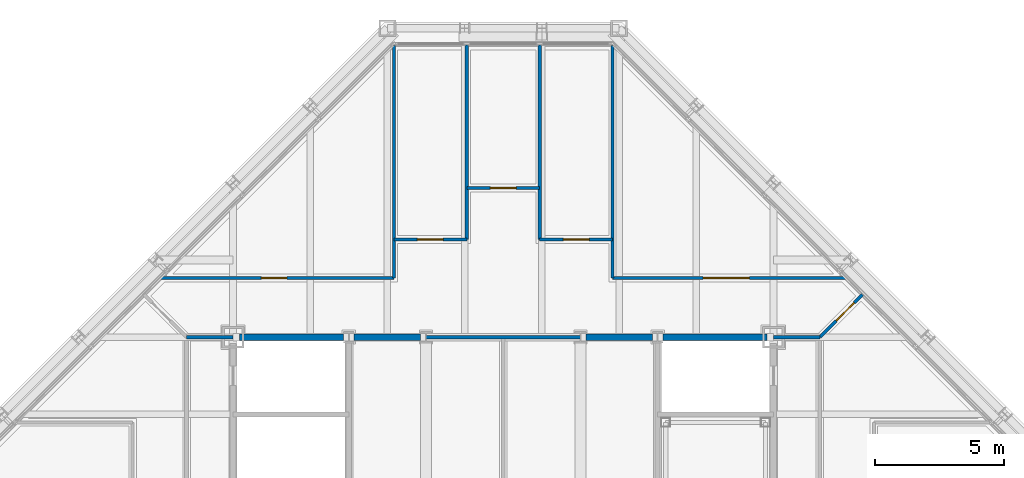
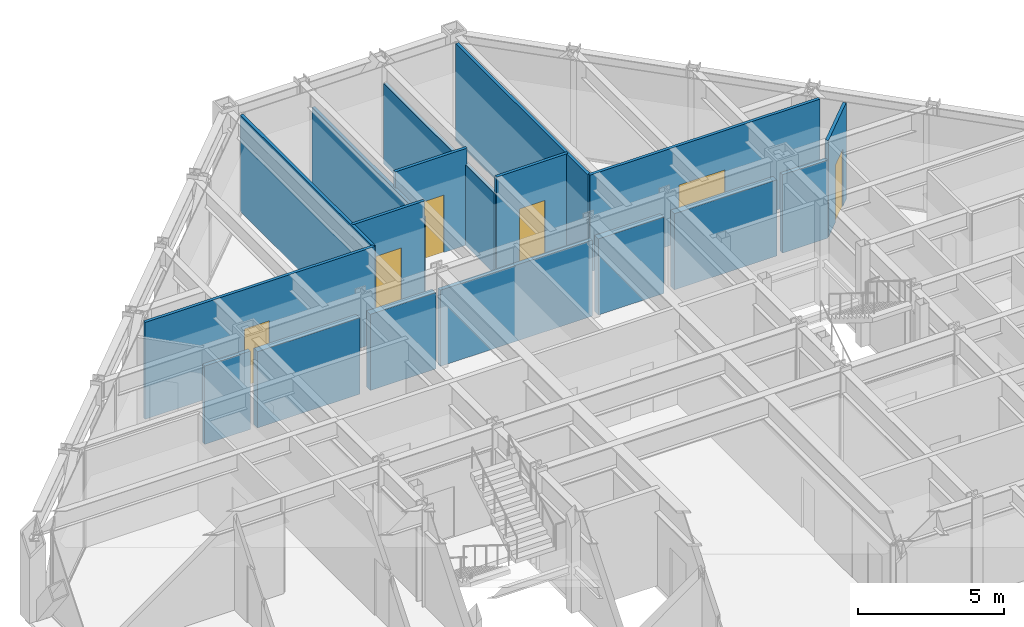
# One storey, part 12 of 15: 17 walls, 6 doors, 6 openings.
"""IFC4 building model written with IfcOpenShell, lengths in metres."""

import ifcopenshell
import ifcopenshell.guid

model = None  # the IFC model being written
_history = None  # IfcOwnerHistory: only IFC2X3 demands one
_inside = {}  # id of a spatial element -> (the spatial element, [elements in it])
_under = {}  # id of a project, library or spatial element -> (it, [spatial elements below it])
_declared = {}  # id of a project -> (the project, [libraries it declares])
_typed = {}  # id of a type object -> (the type object, [elements of that type])
_made_of = {}  # id of a material, layer set ... -> (it, [elements and type objects made of it])


def new_model(schema):
    """Start an empty IFC model of exactly this schema.

    Asked for "IFC4X3", IfcOpenShell would pick the latest addendum, in which some entities
    have other attributes; the version numbers below select the first issue.
    IFC2X3 requires an IfcOwnerHistory on every rooted entity: one is made here for all.
    """
    global model, _history
    if schema == "IFC4X3":
        model = ifcopenshell.file(schema_version=(4, 3, 0, 0))
    else:
        model = ifcopenshell.file(schema=schema)
    _inside.clear()
    _under.clear()
    _declared.clear()
    _typed.clear()
    _made_of.clear()
    _history = None
    if model.schema == "IFC2X3":
        org = make("IfcOrganization", Name="unknown")
        user = make(
            "IfcPersonAndOrganization",
            ThePerson=make("IfcPerson", FamilyName="unknown"),
            TheOrganization=org,
        )
        app = make(
            "IfcApplication",
            ApplicationDeveloper=org,
            Version="unknown",
            ApplicationFullName="unknown",
            ApplicationIdentifier="unknown",
        )
        _history = make(
            "IfcOwnerHistory",
            OwningUser=user,
            OwningApplication=app,
            ChangeAction="ADDED",
            CreationDate=0,
        )
    return model


def make(cls, **values):
    """One entity of the class cls with the attributes given. An attribute that is None is left unset."""
    return model.create_entity(
        cls, **{name: value for name, value in values.items() if value is not None}
    )


def rooted(cls, **values):
    """An entity with a GlobalId (a new one), such as an element, a storey or a relation."""
    return make(cls, GlobalId=ifcopenshell.guid.new(), OwnerHistory=_history, **values)


def si_unit(unit_type, name, prefix=None):
    """IfcSIUnit, for example si_unit("LENGTHUNIT", "METRE", prefix="MILLI")."""
    return make("IfcSIUnit", UnitType=unit_type, Prefix=prefix, Name=name)


def assignment(units):
    """IfcUnitAssignment: the units of a project."""
    return None if units is None else make("IfcUnitAssignment", Units=units)


def point(xyz):
    """IfcCartesianPoint."""
    return None if xyz is None else make("IfcCartesianPoint", Coordinates=xyz)


def direction(xyz):
    """IfcDirection."""
    return None if xyz is None else make("IfcDirection", DirectionRatios=xyz)


def frame(location, z_axis=None, x_axis=None):
    """IfcAxis2Placement3D, a coordinate frame: its origin and axes. An axis left out is left unset."""
    return make(
        "IfcAxis2Placement3D",
        Location=point(location),
        Axis=direction(z_axis),
        RefDirection=direction(x_axis),
    )


def frame_2d(location, x_axis=None):
    """IfcAxis2Placement2D, a coordinate frame in the plane: its origin and x axis."""
    return make(
        "IfcAxis2Placement2D", Location=point(location), RefDirection=direction(x_axis)
    )


def origin():
    """The frame at (0, 0, 0) with its axes left unset."""
    return frame((0.0, 0.0, 0.0))


def place(relative_to, where):
    """IfcLocalPlacement: puts the frame where relative to a parent placement (None: the world)."""
    return make(
        "IfcLocalPlacement", PlacementRelTo=relative_to, RelativePlacement=where
    )


def context(
    kind, dimensions, precision=None, world=None, true_north=None, identifier=None
):
    """IfcGeometricRepresentationContext, for example the 3D "Model" context."""
    return make(
        "IfcGeometricRepresentationContext",
        ContextIdentifier=identifier,
        ContextType=kind,
        CoordinateSpaceDimension=dimensions,
        Precision=precision,
        WorldCoordinateSystem=world,
        TrueNorth=true_north,
    )


def subcontext(parent, identifier, kind, view, scale=None):
    """IfcGeometricRepresentationSubContext, for example "Body" below "Model"."""
    return make(
        "IfcGeometricRepresentationSubContext",
        ContextIdentifier=identifier,
        ContextType=kind,
        ParentContext=parent,
        TargetScale=scale,
        TargetView=view,
    )


def project(units=None, contexts=None):
    """IfcProject with its units and contexts."""
    return rooted(
        "IfcProject",
        Name="project",
        RepresentationContexts=contexts,
        UnitsInContext=assignment(units),
    )


def spatial(cls, under=None, at=None, **own):
    """A site, building, storey or space (cls), placed at a placement, below another one or the project."""
    s = rooted(cls, ObjectPlacement=at, **own)
    if under is not None:
        _under.setdefault(under.id(), (under, []))[1].append(s)
    return s


def profile(cls, at=None, kind="AREA", **sizes):
    """A parametric profile (cls). Its sizes go by their IFC names, for example OverallWidth=200.0."""
    return make(cls, ProfileType=kind, Position=at, **sizes)


def rectangle(**sizes):
    """IfcRectangleProfileDef."""
    return profile("IfcRectangleProfileDef", **sizes)


def extrude(swept, where, along, depth):
    """IfcExtrudedAreaSolid: the profile swept, set in the frame where, extruded along a direction by depth."""
    return make(
        "IfcExtrudedAreaSolid",
        SweptArea=swept,
        Position=where,
        ExtrudedDirection=direction(along),
        Depth=depth,
    )


def shape(context_of_items, identifier, shape_type, items):
    """IfcShapeRepresentation: the items that make up one representation, for example the "Body"."""
    return make(
        "IfcShapeRepresentation",
        ContextOfItems=context_of_items,
        RepresentationIdentifier=identifier,
        RepresentationType=shape_type,
        Items=items,
    )


def material(Name=None, Category=None):
    """IfcMaterial."""
    return make("IfcMaterial", Name=Name, Category=Category)


def layer(
    of_material, thickness, ventilated=None, Name=None, Category=None, Priority=None
):
    """IfcMaterialLayer: one layer of a wall or slab, of a material (None: an air gap)."""
    return make(
        "IfcMaterialLayer",
        Material=of_material,
        LayerThickness=thickness,
        IsVentilated=ventilated,
        Name=Name,
        Category=Category,
        Priority=Priority,
    )


def layer_set(layers, Name=None):
    """IfcMaterialLayerSet."""
    return make("IfcMaterialLayerSet", MaterialLayers=layers, LayerSetName=Name)


def made_of(thing, what):
    """Note that an element or type object is made of a material, layer set ...; save() writes the relation."""
    if what is not None:
        _made_of.setdefault(what.id(), (what, []))[1].append(thing)
    return thing


def type_object(cls, material=None, **own):
    """A type object (cls), such as IfcWallType, which elements share."""
    return made_of(rooted(cls, **own), material)


def element(
    cls,
    number,
    at=None,
    inside=None,
    cuts=None,
    type_object=None,
    material=None,
    context=None,
    identifier="Body",
    shape_type=None,
    held_by="IfcProductDefinitionShape",
    body=None,
    shapes=None,
    **own,
):
    """One element of the class cls, such as IfcWall. Its Tag is "e" and its number.

    at: its placement. inside: the storey or other place that contains it. cuts: it is an
    opening in that element (IfcRelVoidsElement). A single representation is given by context,
    identifier, shape_type and body (its items); several are given by shapes. held_by: the class
    of the entity that holds the representations. save() writes the other relations.
    """
    e = rooted(cls, Tag="e%d" % number, ObjectPlacement=at, **own)
    if body is not None:
        shapes = [shape(context, identifier, shape_type, body)]
    if shapes is not None:
        e.Representation = make(held_by, Representations=shapes)
    if inside is not None:
        _inside.setdefault(inside.id(), (inside, []))[1].append(e)
    if cuts is not None:
        rooted(
            "IfcRelVoidsElement", RelatingBuildingElement=cuts, RelatedOpeningElement=e
        )
    if type_object is not None:
        _typed.setdefault(type_object.id(), (type_object, []))[1].append(e)
    return made_of(e, material)


def fill(opening, filler):
    """IfcRelFillsElement: the door or window that sits in an opening."""
    return rooted(
        "IfcRelFillsElement",
        RelatingOpeningElement=opening,
        RelatedBuildingElement=filler,
    )


def aggregate(whole, parts):
    """IfcRelAggregates: a whole, such as a stair, and the parts it consists of."""
    return rooted("IfcRelAggregates", RelatingObject=whole, RelatedObjects=parts)


def save(model, path):
    """Write the relations noted so far, then the file.

    IfcRelAggregates (storeys below a building ...), IfcRelContainedInSpatialStructure (elements
    in a storey), IfcRelDefinesByType, IfcRelAssociatesMaterial and IfcRelDeclares: one each for
    every whole, place, type object, material and project.
    """
    for whole, parts in _under.values():
        aggregate(whole, parts)
    for where, things in _inside.values():
        rooted(
            "IfcRelContainedInSpatialStructure",
            RelatedElements=things,
            RelatingStructure=where,
        )
    for kind, things in _typed.values():
        rooted("IfcRelDefinesByType", RelatedObjects=things, RelatingType=kind)
    for what, things in _made_of.values():
        rooted("IfcRelAssociatesMaterial", RelatedObjects=things, RelatingMaterial=what)
    for by, libraries in _declared.values():
        rooted("IfcRelDeclares", RelatingContext=by, RelatedDefinitions=libraries)
    model.write(path)


model = new_model("IFC4")

# Units and contexts
model_context = context("Model", 3, precision=1e-05, world=origin(), true_north=direction((0.0, 1.0)))
body_context = subcontext(model_context, "Body", "Model", "MODEL_VIEW")
ifc_project = project(units=[si_unit("LENGTHUNIT", "METRE"), si_unit("AREAUNIT", "SQUARE_METRE"), si_unit("VOLUMEUNIT", "CUBIC_METRE"), si_unit("PLANEANGLEUNIT", "RADIAN"), si_unit("MASSUNIT", "GRAM", prefix="KILO")], contexts=[model_context])

# Site, building, storey
site_placement = place(None, origin())
site = spatial("IfcSite", under=ifc_project, at=site_placement, CompositionType="ELEMENT")
building_placement = place(site_placement, origin())
building = spatial("IfcBuilding", under=site, at=building_placement, Name="Chuquiago Exchange Tower", CompositionType="ELEMENT")
storey_placement = place(building_placement, frame((0.0, 0.0, 287.39990234375)))
storey = spatial("IfcBuildingStorey", under=building, at=storey_placement, Name="L64", CompositionType="ELEMENT", Elevation=287.39990234375)

# Walls
ifc_material_1 = material(Name="Concrete masonry, fully grouted", Category="masonry")
ifc_layer_1 = layer(ifc_material_1, 0.25)
ifc_layer_set_1 = layer_set([ifc_layer_1], Name="W1 core wall 250")
wall_type_1 = type_object("IfcWallType", Name="W1 core wall 250", PredefinedType="SOLIDWALL", material=ifc_layer_set_1)
wall_1_placement = place(storey_placement, frame((12.25, 33.0, 0.0), z_axis=(0.0, 0.0, 1.0), x_axis=(1.0, 0.0, 0.0)))
element("IfcWall", 1, at=wall_1_placement, inside=storey, type_object=wall_type_1, Name="CW-L64-11-0", PredefinedType="SOLIDWALL", context=body_context, shape_type="SweptSolid", body=[
    extrude(rectangle(XDim=4.041748046875, YDim=0.25, at=frame_2d((2.02099609375, 0.0))), origin(), (0.0, 0.0, 1.0), 3.181640625),
])
for number, where, z_axis, x_axis, name in (
    (2, (16.708251953125, 33.0, 0.0), (0.0, 0.0, 1.0), (1.0, 0.0, 0.0), "CW-L64-11-1"),
    (3, (25.708251953125, 33.0, 0.0), (0.0, 0.0, 1.0), (1.0, 0.0, 0.0), "CW-L64-12-0"),
):
    element("IfcWall", number, at=place(storey_placement, frame(where, z_axis=z_axis, x_axis=x_axis)), inside=storey, type_object=wall_type_1, Name=name, PredefinedType="SOLIDWALL", context=body_context, shape_type="SweptSolid", body=[
        extrude(rectangle(XDim=2.58349609375, YDim=0.25, at=frame_2d((1.291748046875, 0.0))), origin(), (0.0, 0.0, 1.0), 3.181640625),
    ])
wall_2_placement = place(storey_placement, frame((28.708251953125, 33.0, 0.0), z_axis=(0.0, 0.0, 1.0), x_axis=(1.0, 0.0, 0.0)))
element("IfcWall", 4, at=wall_2_placement, inside=storey, type_object=wall_type_1, Name="CW-L64-12-1", PredefinedType="SOLIDWALL", context=body_context, shape_type="SweptSolid", body=[
    extrude(rectangle(XDim=4.041748046875, YDim=0.25, at=frame_2d((2.02099609375, 0.0))), origin(), (0.0, 0.0, 1.0), 3.181640625),
])
ifc_material_2 = material(Name="Gypsum board on steel studs, acoustic insulation", Category="steel")
ifc_layer_2 = layer(ifc_material_2, 0.14990234375)
ifc_layer_set_2 = layer_set([ifc_layer_2], Name="W11 corridor wall 150")
wall_type_2 = type_object("IfcWallType", Name="W11 corridor wall 150", PredefinedType="PARTITIONING", material=ifc_layer_set_2)
for number, where, z_axis, x_axis, name in (
    (5, (10.199951171875, 33.0, 0.0), (0.0, 0.0, 1.0), (1.0, 0.0, 0.0), "PW-L64-GWN0"),
    (6, (33.0, 33.0, 0.0), (0.0, 0.0, 1.0), (1.0, 0.0, 0.0), "PW-L64-GEN0"),
):
    element("IfcWall", number, at=place(storey_placement, frame(where, z_axis=z_axis, x_axis=x_axis)), inside=storey, type_object=wall_type_2, Name=name, PredefinedType="PARTITIONING", context=body_context, shape_type="SweptSolid", body=[
        extrude(rectangle(XDim=1.800048828125, YDim=0.14990234375, at=frame_2d((0.89990234375, 0.0))), origin(), (0.0, 0.0, 1.0), 3.2705078125),
    ])
ifc_material_3 = material(Name="Gypsum board on steel studs", Category="steel")
ifc_layer_3 = layer(ifc_material_3, 0.14990234375)
ifc_layer_set_3 = layer_set([ifc_layer_3], Name="W3 core partition 150")
wall_type_3 = type_object("IfcWallType", Name="W3 core partition 150", PredefinedType="PARTITIONING", material=ifc_layer_set_3)
wall_3_placement = place(storey_placement, frame((19.5, 33.0, 0.0), z_axis=(0.0, 0.0, 1.0), x_axis=(1.0, 0.0, 0.0)))
element("IfcWall", 7, at=wall_3_placement, inside=storey, type_object=wall_type_3, Name="CW-L64-TB", PredefinedType="PARTITIONING", context=body_context, shape_type="SweptSolid", body=[
    extrude(rectangle(XDim=6.0, YDim=0.14990234375, at=frame_2d((3.0, 0.0))), origin(), (0.0, 0.0, 1.0), 3.181640625),
])
ifc_material_4 = material(Name="Gypsum board on steel studs", Category="steel")
ifc_layer_4 = layer(ifc_material_4, 0.1201171875)
ifc_layer_set_4 = layer_set([ifc_layer_4], Name="W4 partition 120")
wall_type_4 = type_object("IfcWallType", Name="W4 partition 120", PredefinedType="PARTITIONING", material=ifc_layer_set_4)
wall_4_placement = place(storey_placement, frame((18.24853515625, 44.333984375, 0.0), z_axis=(0.0, 0.0, 1.0), x_axis=(0.0, -1.0, 0.0)))
element("IfcWall", 8, at=wall_4_placement, inside=storey, type_object=wall_type_4, Name="PW-L64-N01825", PredefinedType="PARTITIONING", context=body_context, shape_type="SweptSolid", body=[
    extrude(rectangle(XDim=9.033935546875, YDim=0.1201171875, at=frame_2d((4.51708984375, 0.0))), origin(), (0.0, 0.0, 1.0), 4.0400390625),
])
for number, where, z_axis, x_axis, name in (
    (9, (21.082763671875, 44.347412109375, 0.0), (0.0, 0.0, 1.0), (0.0, -1.0, 0.0), "PW-L64-N02108"),
    (10, (23.917236328125, 44.347412109375, 0.0), (0.0, 0.0, 1.0), (0.0, -1.0, 0.0), "PW-L64-N02392"),
):
    element("IfcWall", number, at=place(storey_placement, frame(where, z_axis=z_axis, x_axis=x_axis)), inside=storey, type_object=wall_type_4, Name=name, PredefinedType="PARTITIONING", context=body_context, shape_type="SweptSolid", body=[
        extrude(rectangle(XDim=7.54736328125, YDim=0.1201171875, at=frame_2d((3.773681640625, 0.0))), origin(), (0.0, 0.0, 1.0), 3.35693359375),
    ])
wall_5_placement = place(storey_placement, frame((26.75146484375, 44.333984375, 0.0), z_axis=(0.0, 0.0, 1.0), x_axis=(0.0, -1.0, 0.0)))
element("IfcWall", 11, at=wall_5_placement, inside=storey, type_object=wall_type_4, Name="PW-L64-N02675", PredefinedType="PARTITIONING", context=body_context, shape_type="SweptSolid", body=[
    extrude(rectangle(XDim=9.033935546875, YDim=0.1201171875, at=frame_2d((4.51708984375, 0.0))), origin(), (0.0, 0.0, 1.0), 4.0400390625),
])

# Wall, opening, door
wall_6_placement = place(storey_placement, frame((9.185546875, 35.300048828125, 0.0), z_axis=(0.0, 0.0, 1.0), x_axis=(1.0, 0.0, 0.0)))
wall_6 = element("IfcWall", 12, at=wall_6_placement, inside=storey, type_object=wall_type_4, Name="PW-L64-NF00942", PredefinedType="PARTITIONING", context=body_context, shape_type="SweptSolid", body=[
    extrude(rectangle(XDim=9.06298828125, YDim=0.1201171875, at=frame_2d((4.531494140625, 0.0))), origin(), (0.0, 0.0, 1.0), 4.0400390625),
])
opening_1_placement = place(wall_6_placement, frame((3.912109375, 0.0, 0.0)))
opening_1 = element("IfcOpeningElement", 13, at=opening_1_placement, cuts=wall_6, Name="Opening L64-027", PredefinedType="OPENING", context=body_context, shape_type="SweptSolid", body=[
    extrude(rectangle(XDim=1.0, YDim=2.39990234375, at=frame_2d((0.5, 1.199951171875))), frame((0.0, 0.070068359375, 0.0), z_axis=(0.0, -1.0, 0.0), x_axis=(1.0, 0.0, 0.0)), (0.0, 0.0, 1.0), 0.14013671875),
])
ifc_material_5 = material(Name="Timber door, laminate faced", Category="wood")
door_type_1 = type_object("IfcDoorType", Name="D9 room door 1000x2400", OperationType="SINGLE_SWING_LEFT", PredefinedType="DOOR", material=ifc_material_5)
door_1_placement = place(opening_1_placement, origin())
door_1 = element("IfcDoor", 14, at=door_1_placement, inside=storey, type_object=door_type_1, Name="Executive office door", OperationType="SINGLE_SWING_LEFT", OverallHeight=2.39990234375, OverallWidth=1.0, PredefinedType="DOOR", context=body_context, shape_type="SweptSolid", body=[
    extrude(rectangle(XDim=1.0, YDim=2.39990234375, at=frame_2d((0.5, 1.199951171875))), frame((0.0, 0.02490234375, 0.0), z_axis=(0.0, -1.0, 0.0), x_axis=(1.0, 0.0, 0.0)), (0.0, 0.0, 1.0), 0.050048828125),
])
fill(opening_1, door_1)

wall_7_placement = place(storey_placement, frame((18.24853515625, 36.800048828125, 0.0), z_axis=(0.0, 0.0, 1.0), x_axis=(1.0, 0.0, 0.0)))
wall_7 = element("IfcWall", 15, at=wall_7_placement, inside=storey, type_object=wall_type_4, Name="PW-L64-NF01825", PredefinedType="PARTITIONING", context=body_context, shape_type="SweptSolid", body=[
    extrude(rectangle(XDim=2.834228515625, YDim=0.1201171875, at=frame_2d((1.4169921875, 0.0))), origin(), (0.0, 0.0, 1.0), 4.0400390625),
])
opening_2_placement = place(wall_7_placement, frame((0.9169921875, 0.0, 0.0)))
opening_2 = element("IfcOpeningElement", 16, at=opening_2_placement, cuts=wall_7, Name="Opening L64-028", PredefinedType="OPENING", context=body_context, shape_type="SweptSolid", body=[
    extrude(rectangle(XDim=1.0, YDim=2.39990234375, at=frame_2d((0.5, 1.199951171875))), frame((0.0, 0.070068359375, 0.0), z_axis=(0.0, -1.0, 0.0), x_axis=(1.0, 0.0, 0.0)), (0.0, 0.0, 1.0), 0.14013671875),
])
door_2_placement = place(opening_2_placement, origin())
door_2 = element("IfcDoor", 17, at=door_2_placement, inside=storey, type_object=door_type_1, Name="Executive office door", OperationType="SINGLE_SWING_LEFT", OverallHeight=2.39990234375, OverallWidth=1.0, PredefinedType="DOOR", context=body_context, shape_type="SweptSolid", body=[
    extrude(rectangle(XDim=1.0, YDim=2.39990234375, at=frame_2d((0.5, 1.199951171875))), frame((0.0, 0.02490234375, 0.0), z_axis=(0.0, -1.0, 0.0), x_axis=(1.0, 0.0, 0.0)), (0.0, 0.0, 1.0), 0.050048828125),
])
fill(opening_2, door_2)

wall_8_placement = place(storey_placement, frame((21.082763671875, 38.800048828125, 0.0), z_axis=(0.0, 0.0, 1.0), x_axis=(1.0, 0.0, 0.0)))
wall_8 = element("IfcWall", 18, at=wall_8_placement, inside=storey, type_object=wall_type_4, Name="PW-L64-NF02108", PredefinedType="PARTITIONING", context=body_context, shape_type="SweptSolid", body=[
    extrude(rectangle(XDim=2.83447265625, YDim=0.1201171875, at=frame_2d((1.417236328125, 0.0))), origin(), (0.0, 0.0, 1.0), 4.0400390625),
])
opening_3_placement = place(wall_8_placement, frame((0.917236328125, 0.0, 0.0)))
opening_3 = element("IfcOpeningElement", 19, at=opening_3_placement, cuts=wall_8, Name="Opening L64-029", PredefinedType="OPENING", context=body_context, shape_type="SweptSolid", body=[
    extrude(rectangle(XDim=1.0, YDim=2.39990234375, at=frame_2d((0.5, 1.199951171875))), frame((0.0, 0.070068359375, 0.0), z_axis=(0.0, -1.0, 0.0), x_axis=(1.0, 0.0, 0.0)), (0.0, 0.0, 1.0), 0.14013671875),
])
door_3_placement = place(opening_3_placement, origin())
door_3 = element("IfcDoor", 20, at=door_3_placement, inside=storey, type_object=door_type_1, Name="Pantry door", OperationType="SINGLE_SWING_LEFT", OverallHeight=2.39990234375, OverallWidth=1.0, PredefinedType="DOOR", context=body_context, shape_type="SweptSolid", body=[
    extrude(rectangle(XDim=1.0, YDim=2.39990234375, at=frame_2d((0.5, 1.199951171875))), frame((0.0, 0.02490234375, 0.0), z_axis=(0.0, -1.0, 0.0), x_axis=(1.0, 0.0, 0.0)), (0.0, 0.0, 1.0), 0.050048828125),
])
fill(opening_3, door_3)

wall_9_placement = place(storey_placement, frame((23.917236328125, 36.800048828125, 0.0), z_axis=(0.0, 0.0, 1.0), x_axis=(1.0, 0.0, 0.0)))
wall_9 = element("IfcWall", 21, at=wall_9_placement, inside=storey, type_object=wall_type_4, Name="PW-L64-NF02392", PredefinedType="PARTITIONING", context=body_context, shape_type="SweptSolid", body=[
    extrude(rectangle(XDim=2.834228515625, YDim=0.1201171875, at=frame_2d((1.4169921875, 0.0))), origin(), (0.0, 0.0, 1.0), 4.0400390625),
])
opening_4_placement = place(wall_9_placement, frame((0.9169921875, 0.0, 0.0)))
opening_4 = element("IfcOpeningElement", 22, at=opening_4_placement, cuts=wall_9, Name="Opening L64-030", PredefinedType="OPENING", context=body_context, shape_type="SweptSolid", body=[
    extrude(rectangle(XDim=1.0, YDim=2.39990234375, at=frame_2d((0.5, 1.199951171875))), frame((0.0, 0.070068359375, 0.0), z_axis=(0.0, -1.0, 0.0), x_axis=(1.0, 0.0, 0.0)), (0.0, 0.0, 1.0), 0.14013671875),
])
door_4_placement = place(opening_4_placement, origin())
door_4 = element("IfcDoor", 23, at=door_4_placement, inside=storey, type_object=door_type_1, Name="Executive office door", OperationType="SINGLE_SWING_LEFT", OverallHeight=2.39990234375, OverallWidth=1.0, PredefinedType="DOOR", context=body_context, shape_type="SweptSolid", body=[
    extrude(rectangle(XDim=1.0, YDim=2.39990234375, at=frame_2d((0.5, 1.199951171875))), frame((0.0, 0.02490234375, 0.0), z_axis=(0.0, -1.0, 0.0), x_axis=(1.0, 0.0, 0.0)), (0.0, 0.0, 1.0), 0.050048828125),
])
fill(opening_4, door_4)

wall_10_placement = place(storey_placement, frame((26.75146484375, 35.300048828125, 0.0), z_axis=(0.0, 0.0, 1.0), x_axis=(1.0, 0.0, 0.0)))
wall_10 = element("IfcWall", 24, at=wall_10_placement, inside=storey, type_object=wall_type_4, Name="PW-L64-NF02675", PredefinedType="PARTITIONING", context=body_context, shape_type="SweptSolid", body=[
    extrude(rectangle(XDim=9.06298828125, YDim=0.1201171875, at=frame_2d((4.531494140625, 0.0))), origin(), (0.0, 0.0, 1.0), 4.0400390625),
])
opening_5_placement = place(wall_10_placement, frame((3.51220703125, 0.0, 0.0)))
opening_5 = element("IfcOpeningElement", 25, at=opening_5_placement, cuts=wall_10, Name="Opening L64-031", PredefinedType="OPENING", context=body_context, shape_type="SweptSolid", body=[
    extrude(rectangle(XDim=1.800048828125, YDim=2.39990234375, at=frame_2d((0.89990234375, 1.199951171875))), frame((0.0, 0.070068359375, 0.0), z_axis=(0.0, -1.0, 0.0), x_axis=(1.0, 0.0, 0.0)), (0.0, 0.0, 1.0), 0.14013671875),
])
ifc_material_6 = material(Name="Timber door pair, laminate faced", Category="wood")
door_type_2 = type_object("IfcDoorType", Name="D15 double room door 1800x2400", OperationType="DOUBLE_DOOR_DOUBLE_SWING", PredefinedType="DOOR", material=ifc_material_6)
door_5_placement = place(opening_5_placement, origin())
door_5 = element("IfcDoor", 26, at=door_5_placement, inside=storey, type_object=door_type_2, Name="Boardroom door", OperationType="DOUBLE_DOOR_DOUBLE_SWING", OverallHeight=2.39990234375, OverallWidth=1.800048828125, PredefinedType="DOOR", context=body_context, shape_type="SweptSolid", body=[
    extrude(rectangle(XDim=1.800048828125, YDim=2.39990234375, at=frame_2d((0.89990234375, 1.199951171875))), frame((0.0, 0.02490234375, 0.0), z_axis=(0.0, -1.0, 0.0), x_axis=(1.0, 0.0, 0.0)), (0.0, 0.0, 1.0), 0.050048828125),
])
fill(opening_5, door_5)

wall_11_placement = place(storey_placement, frame((34.800048828125, 33.0, 0.0), z_axis=(0.0, 0.0, 1.0), x_axis=(0.707106781187, 0.707106781187, 0.0)))
wall_11 = element("IfcWall", 27, at=wall_11_placement, inside=storey, type_object=wall_type_4, Name="PW-L64-QNE", PredefinedType="PARTITIONING", context=body_context, shape_type="SweptSolid", body=[
    extrude(rectangle(XDim=2.337890625, YDim=0.1201171875, at=frame_2d((1.1689453125, 0.0))), origin(), (0.0, 0.0, 1.0), 4.0400390625),
])
opening_6_placement = place(wall_11_placement, frame((0.89990234375, 0.0, 0.0)))
opening_6 = element("IfcOpeningElement", 28, at=opening_6_placement, cuts=wall_11, Name="Opening L64-039", PredefinedType="OPENING", context=body_context, shape_type="SweptSolid", body=[
    extrude(rectangle(XDim=1.0, YDim=2.39990234375, at=frame_2d((0.5, 1.199951171875))), frame((0.0, 0.070068359375, 0.0), z_axis=(0.0, -1.0, 0.0), x_axis=(1.0, 0.0, 0.0)), (0.0, 0.0, 1.0), 0.14013671875),
])
door_6_placement = place(opening_6_placement, origin())
door_6 = element("IfcDoor", 29, at=door_6_placement, inside=storey, type_object=door_type_1, Name="Team area door", OperationType="SINGLE_SWING_RIGHT", OverallHeight=2.39990234375, OverallWidth=1.0, PredefinedType="DOOR", context=body_context, shape_type="SweptSolid", body=[
    extrude(rectangle(XDim=1.0, YDim=2.39990234375, at=frame_2d((0.5, 1.199951171875))), frame((0.0, 0.02490234375, 0.0), z_axis=(0.0, -1.0, 0.0), x_axis=(1.0, 0.0, 0.0)), (0.0, 0.0, 1.0), 0.050048828125),
])
fill(opening_6, door_6)

save(model, "model.ifc")
